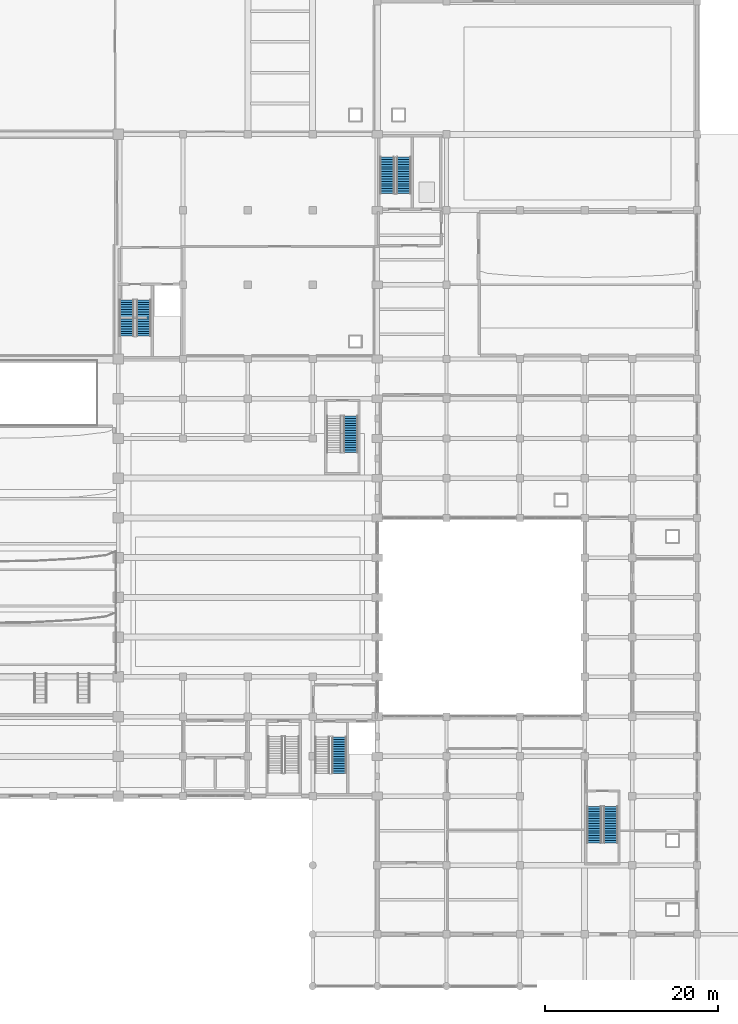
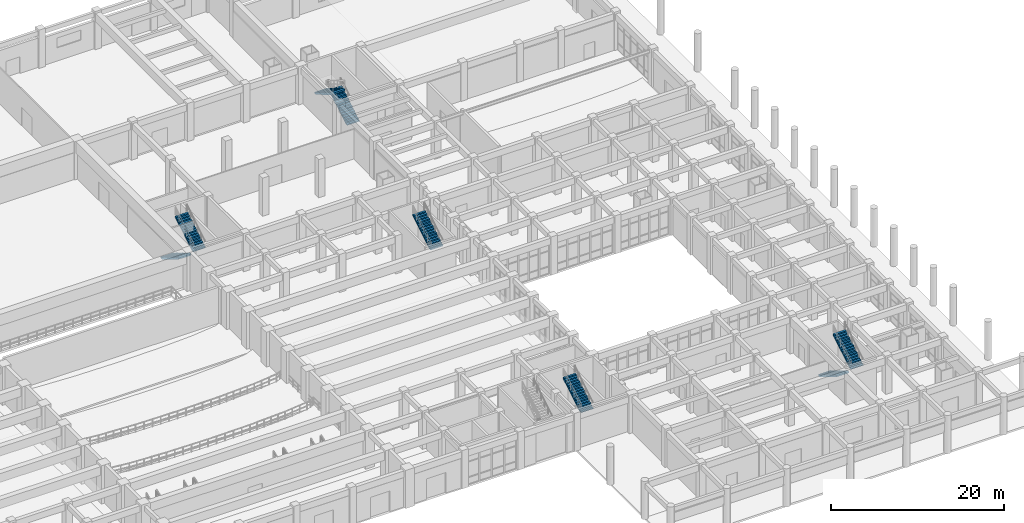
# One storey, part 72 of 84: 8 stair flights, 5 elements without a shape of their own.
"""IFC4 building model written with IfcOpenShell, lengths in metres."""

from ifc_helpers import new_model, si_unit, direction, frame, origin, place, context, subcontext, project, spatial, polyline, outline, extrude, material, type_object, element, aggregate, save


model = new_model("IFC4")

# Units and contexts
model_context = context("Model", 3, precision=1e-05, world=origin(), true_north=direction((0.0, 1.0)))
body_context = subcontext(model_context, "Body", "Model", "MODEL_VIEW")
ifc_project = project(units=[si_unit("LENGTHUNIT", "METRE"), si_unit("AREAUNIT", "SQUARE_METRE"), si_unit("VOLUMEUNIT", "CUBIC_METRE"), si_unit("PLANEANGLEUNIT", "RADIAN"), si_unit("MASSUNIT", "GRAM", prefix="KILO")], contexts=[model_context])

# Site, building, storey
site_placement = place(None, origin())
site = spatial("IfcSite", under=ifc_project, at=site_placement, CompositionType="ELEMENT")
building_placement = place(site_placement, origin())
building = spatial("IfcBuilding", under=site, at=building_placement, Name="Muzn Square Opera House", CompositionType="ELEMENT")
storey_placement = place(building_placement, origin())
storey = spatial("IfcBuildingStorey", under=building, at=storey_placement, Name="L00", CompositionType="ELEMENT", Elevation=0.0)

# Stair, stair flights
ifc_material = material(Name="Concrete C40/50", Category="concrete")
stair_type = type_object("IfcStairType", Name="Core Escape Dogleg Stair", PredefinedType="HALF_TURN_STAIR", material=ifc_material)
stair_1_placement = place(storey_placement, origin())
stair_1 = element("IfcStair", 1, at=stair_1_placement, inside=storey, type_object=stair_type, Name="L00 Escape Stair ST-2", PredefinedType="HALF_TURN_STAIR")
stair_flight_type = type_object("IfcStairFlightType", Name="Core Stair Flight 1660mm", PredefinedType="STRAIGHT", material=ifc_material)
stair_flight_1_placement = place(storey_placement, frame((104.0, 79.43994140625, 0.0), z_axis=(0.0, 0.0, 1.0), x_axis=(0.0, -1.0, 0.0)))
stair_flight_1 = element("IfcStairFlight", 2, at=stair_flight_1_placement, type_object=stair_flight_type, Name="ST-2 flight 1", NumberOfRisers=16, NumberOfTreads=15, PredefinedType="STRAIGHT", RiserHeight=0.16875, TreadLength=0.28, context=body_context, shape_type="SweptSolid", body=[
    extrude(outline(polyline([(0.0, 0.0), (0.0, 0.168701171875), (0.280029296875, 0.168701171875), (0.280029296875, 0.33740234375), (0.56005859375, 0.33740234375), (0.56005859375, 0.50634765625), (0.840087890625, 0.50634765625), (0.840087890625, 0.675048828125), (1.1201171875, 0.675048828125), (1.1201171875, 0.84375), (1.39990234375, 0.84375), (1.39990234375, 1.012451171875), (1.679931640625, 1.012451171875), (1.679931640625, 1.18115234375), (1.9599609375, 1.18115234375), (1.9599609375, 1.35009765625), (2.239990234375, 1.35009765625), (2.239990234375, 1.518798828125), (2.52001953125, 1.518798828125), (2.52001953125, 1.6875), (2.800048828125, 1.6875), (2.800048828125, 1.856201171875), (3.080078125, 1.856201171875), (3.080078125, 2.02490234375), (3.360107421875, 2.02490234375), (3.360107421875, 2.19384765625), (3.639892578125, 2.19384765625), (3.639892578125, 2.362548828125), (3.919921875, 2.362548828125), (3.919921875, 2.53125), (4.199951171875, 2.53125), (4.199951171875, 2.699951171875), (4.199951171875, 2.3212890625), (0.3486328125, 0.0), (0.0, 0.0)])), frame((0.0, 0.830078125, 0.0), z_axis=(0.0, -1.0, 0.0), x_axis=(1.0, 0.0, 0.0)), (0.0, 0.0, 1.0), 1.659912109375),
])
stair_flight_2_placement = place(storey_placement, frame((105.93994140625, 75.239990234375, 2.699951171875), z_axis=(0.0, 0.0, 1.0), x_axis=(0.0, 1.0, 0.0)))
stair_flight_2 = element("IfcStairFlight", 3, at=stair_flight_2_placement, type_object=stair_flight_type, Name="ST-2 flight 2", NumberOfRisers=16, NumberOfTreads=15, PredefinedType="STRAIGHT", RiserHeight=0.16875, TreadLength=0.28, context=body_context, shape_type="SweptSolid", body=[
    extrude(outline(polyline([(0.0, 0.0), (0.0, 0.168701171875), (0.280029296875, 0.168701171875), (0.280029296875, 0.33740234375), (0.56005859375, 0.33740234375), (0.56005859375, 0.50634765625), (0.840087890625, 0.50634765625), (0.840087890625, 0.675048828125), (1.1201171875, 0.675048828125), (1.1201171875, 0.84375), (1.39990234375, 0.84375), (1.39990234375, 1.012451171875), (1.679931640625, 1.012451171875), (1.679931640625, 1.18115234375), (1.9599609375, 1.18115234375), (1.9599609375, 1.35009765625), (2.239990234375, 1.35009765625), (2.239990234375, 1.518798828125), (2.52001953125, 1.518798828125), (2.52001953125, 1.6875), (2.800048828125, 1.6875), (2.800048828125, 1.856201171875), (3.080078125, 1.856201171875), (3.080078125, 2.02490234375), (3.360107421875, 2.02490234375), (3.360107421875, 2.19384765625), (3.639892578125, 2.19384765625), (3.639892578125, 2.362548828125), (3.919921875, 2.362548828125), (3.919921875, 2.53125), (4.199951171875, 2.53125), (4.199951171875, 2.699951171875), (4.199951171875, 2.3212890625), (0.3486328125, 0.0), (0.0, 0.0)])), frame((0.0, 0.830078125, 0.0), z_axis=(0.0, -1.0, 0.0), x_axis=(1.0, 0.0, 0.0)), (0.0, 0.0, 1.0), 1.659912109375),
])
aggregate(stair_1, [stair_flight_1, stair_flight_2])

# Stair, stair flight
stair_2_placement = place(storey_placement, origin())
stair_2 = element("IfcStair", 4, at=stair_2_placement, inside=storey, type_object=stair_type, Name="L00 Escape Stair ST-4", PredefinedType="HALF_TURN_STAIR")
stair_flight_3_placement = place(storey_placement, frame((128.570068359375, 24.639892578125, 2.699951171875), z_axis=(0.0, 0.0, 1.0), x_axis=(0.0, 1.0, 0.0)))
stair_flight_3 = element("IfcStairFlight", 5, at=stair_flight_3_placement, type_object=stair_flight_type, Name="ST-4 flight 2", NumberOfRisers=16, NumberOfTreads=15, PredefinedType="STRAIGHT", RiserHeight=0.16875, TreadLength=0.28, context=body_context, shape_type="SweptSolid", body=[
    extrude(outline(polyline([(0.0, 0.0), (0.0, 0.168701171875), (0.280029296875, 0.168701171875), (0.280029296875, 0.33740234375), (0.56005859375, 0.33740234375), (0.56005859375, 0.50634765625), (0.840087890625, 0.50634765625), (0.840087890625, 0.675048828125), (1.1201171875, 0.675048828125), (1.1201171875, 0.84375), (1.39990234375, 0.84375), (1.39990234375, 1.012451171875), (1.679931640625, 1.012451171875), (1.679931640625, 1.18115234375), (1.9599609375, 1.18115234375), (1.9599609375, 1.35009765625), (2.239990234375, 1.35009765625), (2.239990234375, 1.518798828125), (2.52001953125, 1.518798828125), (2.52001953125, 1.6875), (2.800048828125, 1.6875), (2.800048828125, 1.856201171875), (3.080078125, 1.856201171875), (3.080078125, 2.02490234375), (3.360107421875, 2.02490234375), (3.360107421875, 2.19384765625), (3.639892578125, 2.19384765625), (3.639892578125, 2.362548828125), (3.919921875, 2.362548828125), (3.919921875, 2.53125), (4.199951171875, 2.53125), (4.199951171875, 2.699951171875), (4.199951171875, 2.3212890625), (0.3486328125, 0.0), (0.0, 0.0)])), frame((0.0, 0.830078125, 0.0), z_axis=(0.0, -1.0, 0.0), x_axis=(1.0, 0.0, 0.0)), (0.0, 0.0, 1.0), 1.659912109375),
])
aggregate(stair_2, [stair_flight_3])

# Stair, stair flights
stair_3_placement = place(storey_placement, origin())
stair_3 = element("IfcStair", 6, at=stair_3_placement, inside=storey, type_object=stair_type, Name="L00 Escape Stair ST-5", PredefinedType="HALF_TURN_STAIR")
stair_flight_4_placement = place(storey_placement, frame((136.070068359375, 91.760009765625, 0.0), z_axis=(0.0, 0.0, 1.0), x_axis=(0.0, 1.0, 0.0)))
stair_flight_4 = element("IfcStairFlight", 7, at=stair_flight_4_placement, type_object=stair_flight_type, Name="ST-5 flight 1", NumberOfRisers=16, NumberOfTreads=15, PredefinedType="STRAIGHT", RiserHeight=0.16875, TreadLength=0.28, context=body_context, shape_type="SweptSolid", body=[
    extrude(outline(polyline([(0.0, 0.0), (0.0, 0.168701171875), (0.280029296875, 0.168701171875), (0.280029296875, 0.33740234375), (0.56005859375, 0.33740234375), (0.56005859375, 0.50634765625), (0.840087890625, 0.50634765625), (0.840087890625, 0.675048828125), (1.1201171875, 0.675048828125), (1.1201171875, 0.84375), (1.39990234375, 0.84375), (1.39990234375, 1.012451171875), (1.679931640625, 1.012451171875), (1.679931640625, 1.18115234375), (1.9599609375, 1.18115234375), (1.9599609375, 1.35009765625), (2.239990234375, 1.35009765625), (2.239990234375, 1.518798828125), (2.52001953125, 1.518798828125), (2.52001953125, 1.6875), (2.800048828125, 1.6875), (2.800048828125, 1.856201171875), (3.080078125, 1.856201171875), (3.080078125, 2.02490234375), (3.360107421875, 2.02490234375), (3.360107421875, 2.19384765625), (3.639892578125, 2.19384765625), (3.639892578125, 2.362548828125), (3.919921875, 2.362548828125), (3.919921875, 2.53125), (4.199951171875, 2.53125), (4.199951171875, 2.699951171875), (4.199951171875, 2.3212890625), (0.3486328125, 0.0), (0.0, 0.0)])), frame((0.0, 0.830078125, 0.0), z_axis=(0.0, -1.0, 0.0), x_axis=(1.0, 0.0, 0.0)), (0.0, 0.0, 1.0), 1.659912109375),
])
stair_flight_5_placement = place(storey_placement, frame((134.1298828125, 95.9599609375, 2.699951171875), z_axis=(0.0, 0.0, 1.0), x_axis=(0.0, -1.0, 0.0)))
stair_flight_5 = element("IfcStairFlight", 8, at=stair_flight_5_placement, type_object=stair_flight_type, Name="ST-5 flight 2", NumberOfRisers=16, NumberOfTreads=15, PredefinedType="STRAIGHT", RiserHeight=0.16875, TreadLength=0.28, context=body_context, shape_type="SweptSolid", body=[
    extrude(outline(polyline([(0.0, 0.0), (0.0, 0.168701171875), (0.280029296875, 0.168701171875), (0.280029296875, 0.33740234375), (0.56005859375, 0.33740234375), (0.56005859375, 0.50634765625), (0.840087890625, 0.50634765625), (0.840087890625, 0.675048828125), (1.1201171875, 0.675048828125), (1.1201171875, 0.84375), (1.39990234375, 0.84375), (1.39990234375, 1.012451171875), (1.679931640625, 1.012451171875), (1.679931640625, 1.18115234375), (1.9599609375, 1.18115234375), (1.9599609375, 1.35009765625), (2.239990234375, 1.35009765625), (2.239990234375, 1.518798828125), (2.52001953125, 1.518798828125), (2.52001953125, 1.6875), (2.800048828125, 1.6875), (2.800048828125, 1.856201171875), (3.080078125, 1.856201171875), (3.080078125, 2.02490234375), (3.360107421875, 2.02490234375), (3.360107421875, 2.19384765625), (3.639892578125, 2.19384765625), (3.639892578125, 2.362548828125), (3.919921875, 2.362548828125), (3.919921875, 2.53125), (4.199951171875, 2.53125), (4.199951171875, 2.699951171875), (4.199951171875, 2.3212890625), (0.3486328125, 0.0), (0.0, 0.0)])), frame((0.0, 0.830078125, 0.0), z_axis=(0.0, -1.0, 0.0), x_axis=(1.0, 0.0, 0.0)), (0.0, 0.0, 1.0), 1.659912109375),
])
aggregate(stair_3, [stair_flight_4, stair_flight_5])

stair_4_placement = place(storey_placement, origin())
stair_4 = element("IfcStair", 9, at=stair_4_placement, inside=storey, type_object=stair_type, Name="L00 Escape Stair ST-8", PredefinedType="HALF_TURN_STAIR")
stair_flight_6_placement = place(storey_placement, frame((158.080078125, 20.7900390625, 0.0), z_axis=(0.0, 0.0, 1.0), x_axis=(0.0, -1.0, 0.0)))
stair_flight_6 = element("IfcStairFlight", 10, at=stair_flight_6_placement, type_object=stair_flight_type, Name="ST-8 flight 1", NumberOfRisers=16, NumberOfTreads=15, PredefinedType="STRAIGHT", RiserHeight=0.16875, TreadLength=0.28, context=body_context, shape_type="SweptSolid", body=[
    extrude(outline(polyline([(0.0, 0.0), (0.0, 0.168701171875), (0.280029296875, 0.168701171875), (0.280029296875, 0.33740234375), (0.56005859375, 0.33740234375), (0.56005859375, 0.50634765625), (0.840087890625, 0.50634765625), (0.840087890625, 0.675048828125), (1.1201171875, 0.675048828125), (1.1201171875, 0.84375), (1.39990234375, 0.84375), (1.39990234375, 1.012451171875), (1.679931640625, 1.012451171875), (1.679931640625, 1.18115234375), (1.9599609375, 1.18115234375), (1.9599609375, 1.35009765625), (2.239990234375, 1.35009765625), (2.239990234375, 1.518798828125), (2.52001953125, 1.518798828125), (2.52001953125, 1.6875), (2.800048828125, 1.6875), (2.800048828125, 1.856201171875), (3.080078125, 1.856201171875), (3.080078125, 2.02490234375), (3.360107421875, 2.02490234375), (3.360107421875, 2.19384765625), (3.639892578125, 2.19384765625), (3.639892578125, 2.362548828125), (3.919921875, 2.362548828125), (3.919921875, 2.53125), (4.199951171875, 2.53125), (4.199951171875, 2.699951171875), (4.199951171875, 2.3212890625), (0.3486328125, 0.0), (0.0, 0.0)])), frame((0.0, 0.830078125, 0.0), z_axis=(0.0, -1.0, 0.0), x_axis=(1.0, 0.0, 0.0)), (0.0, 0.0, 1.0), 1.659912109375),
])
stair_flight_7_placement = place(storey_placement, frame((160.02001953125, 16.590087890625, 2.699951171875), z_axis=(0.0, 0.0, 1.0), x_axis=(0.0, 1.0, 0.0)))
stair_flight_7 = element("IfcStairFlight", 11, at=stair_flight_7_placement, type_object=stair_flight_type, Name="ST-8 flight 2", NumberOfRisers=16, NumberOfTreads=15, PredefinedType="STRAIGHT", RiserHeight=0.16875, TreadLength=0.28, context=body_context, shape_type="SweptSolid", body=[
    extrude(outline(polyline([(0.0, 0.0), (0.0, 0.168701171875), (0.280029296875, 0.168701171875), (0.280029296875, 0.33740234375), (0.56005859375, 0.33740234375), (0.56005859375, 0.50634765625), (0.840087890625, 0.50634765625), (0.840087890625, 0.675048828125), (1.1201171875, 0.675048828125), (1.1201171875, 0.84375), (1.39990234375, 0.84375), (1.39990234375, 1.012451171875), (1.679931640625, 1.012451171875), (1.679931640625, 1.18115234375), (1.9599609375, 1.18115234375), (1.9599609375, 1.35009765625), (2.239990234375, 1.35009765625), (2.239990234375, 1.518798828125), (2.52001953125, 1.518798828125), (2.52001953125, 1.6875), (2.800048828125, 1.6875), (2.800048828125, 1.856201171875), (3.080078125, 1.856201171875), (3.080078125, 2.02490234375), (3.360107421875, 2.02490234375), (3.360107421875, 2.19384765625), (3.639892578125, 2.19384765625), (3.639892578125, 2.362548828125), (3.919921875, 2.362548828125), (3.919921875, 2.53125), (4.199951171875, 2.53125), (4.199951171875, 2.699951171875), (4.199951171875, 2.3212890625), (0.3486328125, 0.0), (0.0, 0.0)])), frame((0.0, 0.830078125, 0.0), z_axis=(0.0, -1.0, 0.0), x_axis=(1.0, 0.0, 0.0)), (0.0, 0.0, 1.0), 1.659912109375),
])
aggregate(stair_4, [stair_flight_6, stair_flight_7])

# Stair, stair flight
stair_5_placement = place(storey_placement, origin())
stair_5 = element("IfcStair", 12, at=stair_5_placement, inside=storey, type_object=stair_type, Name="L00 Escape Stair ST-10", PredefinedType="HALF_TURN_STAIR")
stair_flight_8_placement = place(storey_placement, frame((129.919921875, 61.7900390625, 2.699951171875), z_axis=(0.0, 0.0, 1.0), x_axis=(0.0, 1.0, 0.0)))
stair_flight_8 = element("IfcStairFlight", 13, at=stair_flight_8_placement, type_object=stair_flight_type, Name="ST-10 flight 2", NumberOfRisers=16, NumberOfTreads=15, PredefinedType="STRAIGHT", RiserHeight=0.16875, TreadLength=0.28, context=body_context, shape_type="SweptSolid", body=[
    extrude(outline(polyline([(0.0, 0.0), (0.0, 0.168701171875), (0.280029296875, 0.168701171875), (0.280029296875, 0.33740234375), (0.56005859375, 0.33740234375), (0.56005859375, 0.50634765625), (0.840087890625, 0.50634765625), (0.840087890625, 0.675048828125), (1.1201171875, 0.675048828125), (1.1201171875, 0.84375), (1.39990234375, 0.84375), (1.39990234375, 1.012451171875), (1.679931640625, 1.012451171875), (1.679931640625, 1.18115234375), (1.9599609375, 1.18115234375), (1.9599609375, 1.35009765625), (2.239990234375, 1.35009765625), (2.239990234375, 1.518798828125), (2.52001953125, 1.518798828125), (2.52001953125, 1.6875), (2.800048828125, 1.6875), (2.800048828125, 1.856201171875), (3.080078125, 1.856201171875), (3.080078125, 2.02490234375), (3.360107421875, 2.02490234375), (3.360107421875, 2.19384765625), (3.639892578125, 2.19384765625), (3.639892578125, 2.362548828125), (3.919921875, 2.362548828125), (3.919921875, 2.53125), (4.199951171875, 2.53125), (4.199951171875, 2.699951171875), (4.199951171875, 2.3212890625), (0.3486328125, 0.0), (0.0, 0.0)])), frame((0.0, 0.830078125, 0.0), z_axis=(0.0, -1.0, 0.0), x_axis=(1.0, 0.0, 0.0)), (0.0, 0.0, 1.0), 1.659912109375),
])
aggregate(stair_5, [stair_flight_8])

save(model, "model.ifc")
